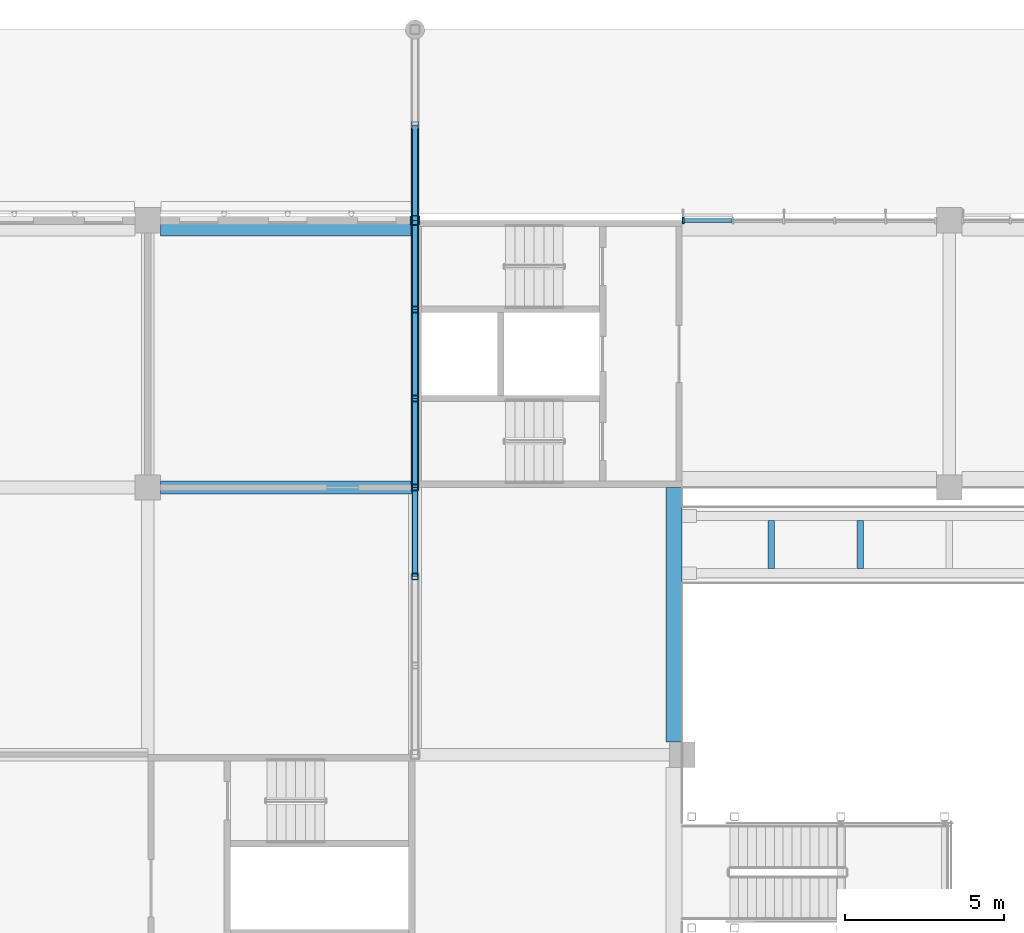
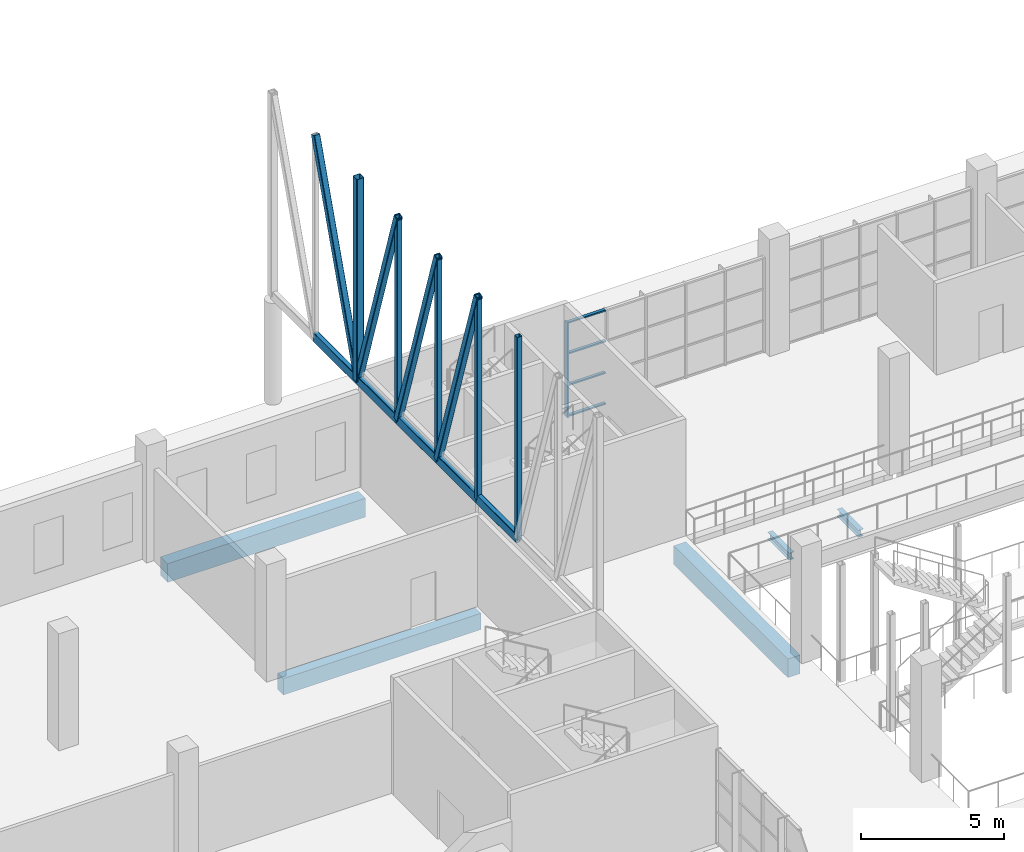
# One storey, part 15 of 101: 19 members, 5 beams, 1 element without a shape of its own.
"""IFC4 building model written with IfcOpenShell, lengths in metres."""

from ifc_helpers import new_model, si_unit, direction, frame, origin, origin_2d, place, context, subcontext, project, spatial, rectangle, hollow_rectangle, i_section, extrude, material, material_profile, profile_set, type_object, element, aggregate, save


model = new_model("IFC4")

# Units and contexts
model_context = context("Model", 3, precision=1e-05, world=origin(), true_north=direction((0.0, 1.0)))
body_context = subcontext(model_context, "Body", "Model", "MODEL_VIEW")
ifc_project = project(units=[si_unit("LENGTHUNIT", "METRE"), si_unit("AREAUNIT", "SQUARE_METRE"), si_unit("VOLUMEUNIT", "CUBIC_METRE"), si_unit("PLANEANGLEUNIT", "RADIAN"), si_unit("MASSUNIT", "GRAM", prefix="KILO")], contexts=[model_context])

# Site, building, storey
site_placement = place(None, origin())
site = spatial("IfcSite", under=ifc_project, at=site_placement, CompositionType="ELEMENT")
building_placement = place(site_placement, origin())
building = spatial("IfcBuilding", under=site, at=building_placement, Name="Almond Square Museum", CompositionType="ELEMENT")
storey_placement = place(building_placement, frame((0.0, 0.0, 5.5)))
storey = spatial("IfcBuildingStorey", under=building, at=storey_placement, Name="L01", CompositionType="ELEMENT", Elevation=5.5)

# Curtain wall, members
ifc_material_1 = material(Name="Aluminium and laminated glass", Category="aluminium")
curtain_wall_type = type_object("IfcCurtainWallType", Name="Unitised curtain wall 1500 module", PredefinedType="NOTDEFINED", material=ifc_material_1)
curtain_wall_placement = place(storey_placement, origin())
curtain_wall = element("IfcCurtainWall", 1, at=curtain_wall_placement, inside=storey, type_object=curtain_wall_type, Name="Curtain wall CW-10", PredefinedType="NOTDEFINED")
ifc_material_2 = material(Name="Anodised aluminium", Category="aluminium")
ifc_material_profile_1 = material_profile(ifc_material_2, rectangle(XDim=0.199951171875, YDim=0.06005859375, at=origin_2d()))
ifc_profile_set_1 = profile_set([ifc_material_profile_1], Name="Anodised aluminium")
member_type_1 = type_object("IfcMemberType", Name="Aluminium mullion 60 x 200", PredefinedType="MULLION", material=ifc_profile_set_1)
member_1_placement = place(storey_placement, frame((81.6298828125, 109.199951171875, 0.0), z_axis=(0.0, 0.0, 1.0), x_axis=(0.0, 1.0, 0.0)))
member_1 = element("IfcMember", 2, at=member_1_placement, type_object=member_type_1, Name="CW-10 mullion 1", PredefinedType="MULLION", context=body_context, shape_type="SweptSolid", body=[
    extrude(rectangle(XDim=0.199951171875, YDim=0.06005859375, at=origin_2d()), origin(), (0.0, 0.0, 1.0), 4.050048828125),
])
ifc_material_3 = material(Name="Anodised aluminium", Category="aluminium")
ifc_material_profile_2 = material_profile(ifc_material_3, rectangle(XDim=0.1201171875, YDim=0.06005859375, at=origin_2d()))
ifc_profile_set_2 = profile_set([ifc_material_profile_2], Name="Anodised aluminium")
member_type_2 = type_object("IfcMemberType", Name="Aluminium transom 60 x 120", PredefinedType="USERDEFINED", material=ifc_profile_set_2)
member_2_placement = place(storey_placement, frame((81.659912109375, 109.199951171875, 0.030029296875), z_axis=(1.0, 0.0, 0.0), x_axis=(0.0, 1.0, 0.0)))
member_2 = element("IfcMember", 3, at=member_2_placement, type_object=member_type_2, Name="CW-10 transom 1.1", ObjectType="TRANSOM", PredefinedType="USERDEFINED", context=body_context, shape_type="SweptSolid", body=[
    extrude(rectangle(XDim=0.1201171875, YDim=0.06005859375, at=origin_2d()), origin(), (0.0, 0.0, 1.0), 1.510009765625),
])
member_3_placement = place(storey_placement, frame((81.659912109375, 109.199951171875, 1.35009765625), z_axis=(1.0, 0.0, 0.0), x_axis=(0.0, 1.0, 0.0)))
member_3 = element("IfcMember", 4, at=member_3_placement, type_object=member_type_2, Name="CW-10 transom 1.2", ObjectType="TRANSOM", PredefinedType="USERDEFINED", context=body_context, shape_type="SweptSolid", body=[
    extrude(rectangle(XDim=0.1201171875, YDim=0.06005859375, at=origin_2d()), origin(), (0.0, 0.0, 1.0), 1.510009765625),
])
member_4_placement = place(storey_placement, frame((81.659912109375, 109.199951171875, 2.699951171875), z_axis=(1.0, 0.0, 0.0), x_axis=(0.0, 1.0, 0.0)))
member_4 = element("IfcMember", 5, at=member_4_placement, type_object=member_type_2, Name="CW-10 transom 1.3", ObjectType="TRANSOM", PredefinedType="USERDEFINED", context=body_context, shape_type="SweptSolid", body=[
    extrude(rectangle(XDim=0.1201171875, YDim=0.06005859375, at=origin_2d()), origin(), (0.0, 0.0, 1.0), 1.510009765625),
])
member_5_placement = place(storey_placement, frame((81.659912109375, 109.199951171875, 4.02001953125), z_axis=(1.0, 0.0, 0.0), x_axis=(0.0, 1.0, 0.0)))
member_5 = element("IfcMember", 6, at=member_5_placement, type_object=member_type_2, Name="CW-10 transom 1.4", ObjectType="TRANSOM", PredefinedType="USERDEFINED", context=body_context, shape_type="SweptSolid", body=[
    extrude(rectangle(XDim=0.1201171875, YDim=0.06005859375, at=origin_2d()), origin(), (0.0, 0.0, 1.0), 1.510009765625),
])
aggregate(curtain_wall, [member_1, member_2, member_3, member_4, member_5])

# Beams
ifc_material_4 = material(Name="Structural steel S355", Category="steel")
ifc_material_profile_3 = material_profile(ifc_material_4, i_section(OverallWidth=0.202880859375, OverallDepth=0.302001953125, WebThickness=0.007568359375, FlangeThickness=0.01318359375, at=origin_2d()))
ifc_profile_set_3 = profile_set([ifc_material_profile_3], Name="Structural steel S355")
beam_type_1 = type_object("IfcBeamType", Name="Floor beam W310x60", PredefinedType="BEAM", material=ifc_profile_set_3)
for number, where, z_axis, x_axis, name in (
    (7, (84.39990234375, 98.24609375, -0.301025390625), (0.0, 1.0, 0.0), (-1.0, 0.0, 0.0), "Bridge 2 cross beam 1"),
    (8, (87.199951171875, 98.24609375, -0.301025390625), (0.0, 1.0, 0.0), (-1.0, 0.0, 0.0), "Bridge 2 cross beam 2"),
):
    element("IfcBeam", number, at=place(storey_placement, frame(where, z_axis=z_axis, x_axis=x_axis)), inside=storey, type_object=beam_type_1, Name=name, PredefinedType="BEAM", context=body_context, shape_type="SweptSolid", body=[
        extrude(i_section(OverallWidth=0.202880859375, OverallDepth=0.302001953125, WebThickness=0.007568359375, FlangeThickness=0.01318359375, at=origin_2d()), origin(), (0.0, 0.0, 1.0), 1.5078125),
    ])
ifc_material_5 = material(Name="Concrete C40/50", Category="concrete")
ifc_material_profile_4 = material_profile(ifc_material_5, rectangle(XDim=0.39990234375, YDim=0.699951171875, at=origin_2d()))
ifc_profile_set_4 = profile_set([ifc_material_profile_4], Name="Concrete C40/50")
beam_type_2 = type_object("IfcBeamType", Name="RC beam 400 x 700 C40/50", PredefinedType="BEAM", material=ifc_profile_set_4)
beam_placement = place(storey_placement, frame((65.199951171875, 100.800048828125, -0.60009765625), z_axis=(1.0, 0.0, 0.0), x_axis=(0.0, 1.0, 0.0)))
element("IfcBeam", 9, at=beam_placement, inside=storey, type_object=beam_type_2, Name="Beam M 9-10 L01", PredefinedType="BEAM", context=body_context, shape_type="SweptSolid", body=[
    extrude(rectangle(XDim=0.39990234375, YDim=0.699951171875, at=origin_2d()), origin(), (0.0, 0.0, 1.0), 8.0),
])
ifc_material_6 = material(Name="Concrete C40/50", Category="concrete")
ifc_material_profile_5 = material_profile(ifc_material_6, rectangle(XDim=0.5, YDim=0.800048828125, at=origin_2d()))
ifc_profile_set_5 = profile_set([ifc_material_profile_5], Name="Concrete C40/50")
beam_type_3 = type_object("IfcBeamType", Name="RC edge beam 500 x 800 C40/50", PredefinedType="BEAM", material=ifc_profile_set_5)
for number, where, z_axis, x_axis, name in (
    (10, (65.199951171875, 108.949951171875, -0.64990234375), (1.0, 0.0, 0.0), (0.0, 1.0, 0.0), "Edge beam N 9-10 L01"),
    (11, (81.35009765625, 92.800048828125, -0.64990234375), (0.0, 1.0, 0.0), (-1.0, 0.0, 0.0), "Edge beam 11 L-M L01"),
):
    element("IfcBeam", number, at=place(storey_placement, frame(where, z_axis=z_axis, x_axis=x_axis)), inside=storey, type_object=beam_type_3, Name=name, PredefinedType="BEAM", context=body_context, shape_type="SweptSolid", body=[
        extrude(rectangle(XDim=0.5, YDim=0.800048828125, at=origin_2d()), origin(), (0.0, 0.0, 1.0), 8.0),
    ])

# Members
ifc_material_7 = material(Name="Structural steel S355", Category="steel")
ifc_material_profile_6 = material_profile(ifc_material_7, hollow_rectangle(XDim=0.199951171875, YDim=0.39990234375, WallThickness=0.012451171875, InnerFilletRadius=0.02490234375, OuterFilletRadius=0.03759765625, at=origin_2d()))
ifc_profile_set_6 = profile_set([ifc_material_profile_6], Name="Structural steel S355")
member_type_3 = type_object("IfcMemberType", Name="Truss chord RHS 400x200x12.5", PredefinedType="CHORD", material=ifc_profile_set_6)
for number, where, z_axis, x_axis, name in (
    (12, (73.199951171875, 98.0, 4.550048828125), (0.0, 1.0, 0.0), (-1.0, 0.0, 0.0), "TR-17 bottom chord 3"),
    (13, (73.199951171875, 100.800048828125, 4.550048828125), (0.0, 1.0, 0.0), (-1.0, 0.0, 0.0), "TR-17 bottom chord 4"),
):
    element("IfcMember", number, at=place(storey_placement, frame(where, z_axis=z_axis, x_axis=x_axis)), inside=storey, type_object=member_type_3, Name=name, PredefinedType="CHORD", context=body_context, shape_type="SweptSolid", body=[
        extrude(hollow_rectangle(XDim=0.199951171875, YDim=0.39990234375, WallThickness=0.012451171875, InnerFilletRadius=0.02490234375, OuterFilletRadius=0.03759765625, at=origin_2d()), origin(), (0.0, 0.0, 1.0), 2.800048828125),
    ])
member_6_placement = place(storey_placement, frame((73.199951171875, 103.60009765625, 4.550048828125), z_axis=(0.0, 1.0, 0.0), x_axis=(-1.0, 0.0, 0.0)))
element("IfcMember", 14, at=member_6_placement, inside=storey, type_object=member_type_3, Name="TR-17 bottom chord 5", PredefinedType="CHORD", context=body_context, shape_type="SweptSolid", body=[
    extrude(hollow_rectangle(XDim=0.199951171875, YDim=0.39990234375, WallThickness=0.012451171875, InnerFilletRadius=0.02490234375, OuterFilletRadius=0.03759765625, at=origin_2d()), origin(), (0.0, 0.0, 1.0), 2.7998046875),
])
member_7_placement = place(storey_placement, frame((73.199951171875, 106.39990234375, 4.550048828125), z_axis=(0.0, 1.0, 0.0), x_axis=(-1.0, 0.0, 0.0)))
element("IfcMember", 15, at=member_7_placement, inside=storey, type_object=member_type_3, Name="TR-17 bottom chord 6", PredefinedType="CHORD", context=body_context, shape_type="SweptSolid", body=[
    extrude(hollow_rectangle(XDim=0.199951171875, YDim=0.39990234375, WallThickness=0.012451171875, InnerFilletRadius=0.02490234375, OuterFilletRadius=0.03759765625, at=origin_2d()), origin(), (0.0, 0.0, 1.0), 2.800048828125),
])
member_8_placement = place(storey_placement, frame((73.199951171875, 109.199951171875, 4.550048828125), z_axis=(0.0, 1.0, 0.0), x_axis=(-1.0, 0.0, 0.0)))
element("IfcMember", 16, at=member_8_placement, inside=storey, type_object=member_type_3, Name="TR-17 bottom chord 7", PredefinedType="CHORD", context=body_context, shape_type="SweptSolid", body=[
    extrude(hollow_rectangle(XDim=0.199951171875, YDim=0.39990234375, WallThickness=0.012451171875, InnerFilletRadius=0.02490234375, OuterFilletRadius=0.03759765625, at=origin_2d()), origin(), (0.0, 0.0, 1.0), 3.0),
])
ifc_material_8 = material(Name="Structural steel S355", Category="steel")
ifc_material_profile_7 = material_profile(ifc_material_8, hollow_rectangle(XDim=0.25, YDim=0.25, WallThickness=0.012451171875, InnerFilletRadius=0.02490234375, OuterFilletRadius=0.03759765625, at=origin_2d()))
ifc_profile_set_7 = profile_set([ifc_material_profile_7], Name="Structural steel S355")
member_type_4 = type_object("IfcMemberType", Name="Truss diagonal SHS 250x250x12.5", PredefinedType="BRACE", material=ifc_profile_set_7)
for number, where, z_axis, x_axis, name in (
    (17, (73.199951171875, 100.800048828125, 13.199951171875), (0.0, 0.307974711219, -0.95139454342), (-1.0, 0.0, 0.0), "TR-17 diagonal 4"),
    (18, (73.199951171875, 103.60009765625, 13.199951171875), (0.0, 0.307950405067, -0.95140241119), (-1.0, 0.0, 0.0), "TR-17 diagonal 5"),
    (19, (73.199951171875, 106.39990234375, 13.199951171875), (0.0, 0.307974711219, -0.95139454342), (-1.0, 0.0, 0.0), "TR-17 diagonal 6"),
):
    element("IfcMember", number, at=place(storey_placement, frame(where, z_axis=z_axis, x_axis=x_axis)), inside=storey, type_object=member_type_4, Name=name, PredefinedType="BRACE", context=body_context, shape_type="SweptSolid", body=[
        extrude(hollow_rectangle(XDim=0.25, YDim=0.25, WallThickness=0.012451171875, InnerFilletRadius=0.02490234375, OuterFilletRadius=0.03759765625, at=origin_2d()), origin(), (0.0, 0.0, 1.0), 9.091796875),
    ])
member_9_placement = place(storey_placement, frame((73.199951171875, 109.199951171875, 4.550048828125), z_axis=(0.0, 0.327676522977, 0.944789974698), x_axis=(-1.0, 0.0, 0.0)))
element("IfcMember", 20, at=member_9_placement, inside=storey, type_object=member_type_4, Name="TR-17 diagonal 7", PredefinedType="BRACE", context=body_context, shape_type="SweptSolid", body=[
    extrude(hollow_rectangle(XDim=0.25, YDim=0.25, WallThickness=0.012451171875, InnerFilletRadius=0.02490234375, OuterFilletRadius=0.03759765625, at=origin_2d()), origin(), (0.0, 0.0, 1.0), 9.1552734375),
])
ifc_material_9 = material(Name="Structural steel S355", Category="steel")
ifc_material_profile_8 = material_profile(ifc_material_9, hollow_rectangle(XDim=0.199951171875, YDim=0.199951171875, WallThickness=0.010009765625, InnerFilletRadius=0.014892578125, OuterFilletRadius=0.02490234375, at=origin_2d()))
ifc_profile_set_8 = profile_set([ifc_material_profile_8], Name="Structural steel S355")
member_type_5 = type_object("IfcMemberType", Name="Truss post SHS 200x200x10", PredefinedType="POST", material=ifc_profile_set_8)
for number, where, z_axis, x_axis, name in (
    (21, (73.199951171875, 98.0, 4.550048828125), (0.0, 0.0, 1.0), (1.0, 0.0, 0.0), "TR-17 post 3"),
    (22, (73.199951171875, 100.800048828125, 4.550048828125), (0.0, 0.0, 1.0), (1.0, 0.0, 0.0), "TR-17 post 4"),
    (23, (73.199951171875, 103.60009765625, 4.550048828125), (0.0, 0.0, 1.0), (1.0, 0.0, 0.0), "TR-17 post 5"),
    (24, (73.199951171875, 106.39990234375, 4.550048828125), (0.0, 0.0, 1.0), (1.0, 0.0, 0.0), "TR-17 post 6"),
):
    element("IfcMember", number, at=place(storey_placement, frame(where, z_axis=z_axis, x_axis=x_axis)), inside=storey, type_object=member_type_5, Name=name, PredefinedType="POST", context=body_context, shape_type="SweptSolid", body=[
        extrude(hollow_rectangle(XDim=0.199951171875, YDim=0.199951171875, WallThickness=0.010009765625, InnerFilletRadius=0.014892578125, OuterFilletRadius=0.02490234375, at=origin_2d()), origin(), (0.0, 0.0, 1.0), 8.64990234375),
    ])
ifc_material_10 = material(Name="Structural steel S355", Category="steel")
ifc_material_profile_9 = material_profile(ifc_material_10, hollow_rectangle(XDim=0.300048828125, YDim=0.300048828125, WallThickness=0.012451171875, InnerFilletRadius=0.02490234375, OuterFilletRadius=0.03759765625, at=origin_2d()))
ifc_profile_set_9 = profile_set([ifc_material_profile_9], Name="Structural steel S355")
member_type_6 = type_object("IfcMemberType", Name="Truss post SHS 300x300x12.5", PredefinedType="POST", material=ifc_profile_set_9)
member_10_placement = place(storey_placement, frame((73.199951171875, 109.199951171875, 4.550048828125), z_axis=(0.0, 0.0, 1.0), x_axis=(1.0, 0.0, 0.0)))
element("IfcMember", 25, at=member_10_placement, inside=storey, type_object=member_type_6, Name="TR-17 post 7", PredefinedType="POST", context=body_context, shape_type="SweptSolid", body=[
    extrude(hollow_rectangle(XDim=0.300048828125, YDim=0.300048828125, WallThickness=0.012451171875, InnerFilletRadius=0.02490234375, OuterFilletRadius=0.03759765625, at=origin_2d()), origin(), (0.0, 0.0, 1.0), 8.64990234375),
])

save(model, "model.ifc")
